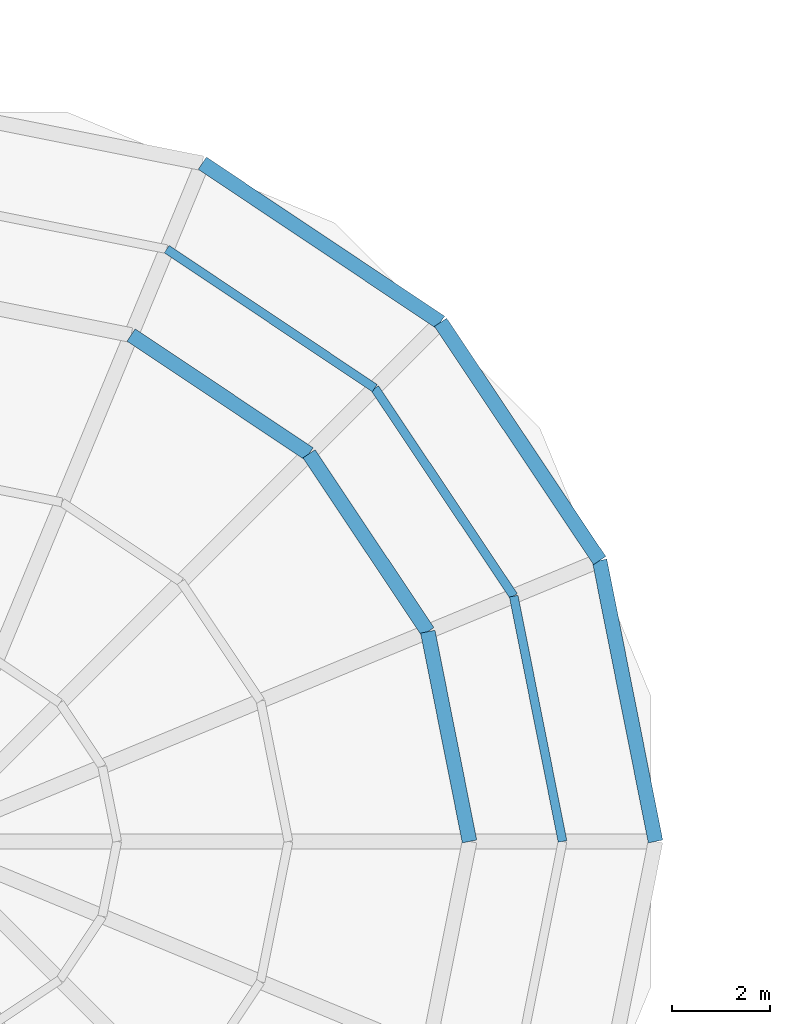
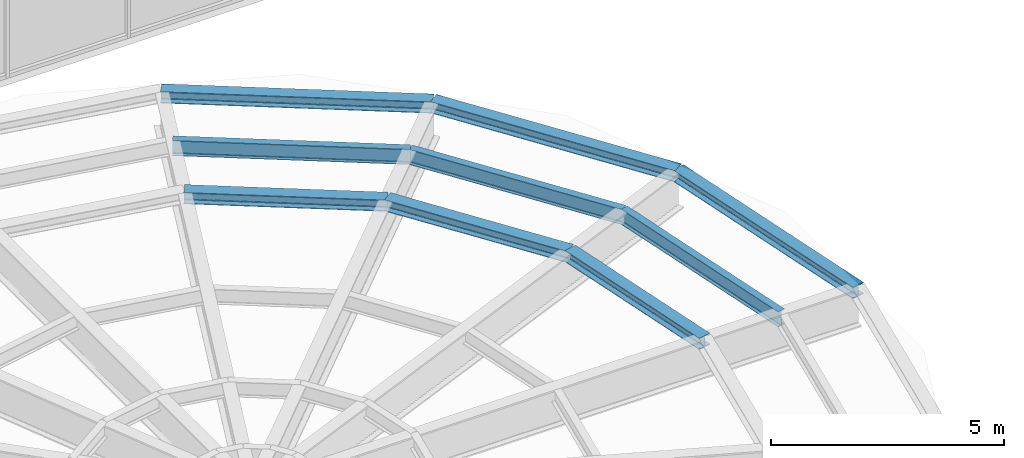
# One storey, part 4 of 37: 6 beams, 3 members.
"""IFC4 building model written with IfcOpenShell, lengths in metres."""

from ifc_helpers import new_model, si_unit, direction, frame, origin, origin_2d, place, context, subcontext, project, spatial, i_section, extrude, material, material_profile, profile_set, type_object, element, save


model = new_model("IFC4")

# Units and contexts
model_context = context("Model", 3, precision=1e-05, world=origin(), true_north=direction((0.0, 1.0)))
body_context = subcontext(model_context, "Body", "Model", "MODEL_VIEW")
ifc_project = project(units=[si_unit("LENGTHUNIT", "METRE"), si_unit("AREAUNIT", "SQUARE_METRE"), si_unit("VOLUMEUNIT", "CUBIC_METRE"), si_unit("PLANEANGLEUNIT", "RADIAN"), si_unit("MASSUNIT", "GRAM", prefix="KILO")], contexts=[model_context])

# Site, building, storey
site_placement = place(None, origin())
site = spatial("IfcSite", under=ifc_project, at=site_placement, CompositionType="ELEMENT")
building_placement = place(site_placement, origin())
building = spatial("IfcBuilding", under=site, at=building_placement, Name="Orbita Commons", CompositionType="ELEMENT")
storey_placement = place(building_placement, frame((0.0, 0.0, 6.0)))
storey = spatial("IfcBuildingStorey", under=building, at=storey_placement, Name="L01", CompositionType="ELEMENT", Elevation=6.0)

# Members
ifc_material_1 = material(Name="Steel ASTM A992", Category="steel")
ifc_material_profile_1 = material_profile(ifc_material_1, i_section(OverallWidth=0.179931640625, OverallDepth=0.39990234375, WebThickness=0.008544921875, FlangeThickness=0.013427734375, FilletRadius=0.02099609375, at=origin_2d()), Name="IPE 400")
ifc_profile_set_1 = profile_set([ifc_material_profile_1], Name="Steel ASTM A992")
member_type = type_object("IfcMemberType", Name="Canopy purlin IPE 400", PredefinedType="PURLIN", material=ifc_profile_set_1)
for number, where, z_axis, x_axis, name in (
    (1, (55.10009765625, -20.0, 1.800048828125), (-0.195114831677, 0.98078040481, 0.0), (-0.98078040481, -0.195114831677, 0.0), "Canopy purlin r13.1 1"),
    (2, (54.102783203125, -14.98681640625, 1.800048828125), (-0.555548645674, 0.831484036101, 0.0), (-0.831484036101, -0.555548645674, 0.0), "Canopy purlin r13.1 2"),
    (3, (51.26318359375, -10.73681640625, 1.800048828125), (-0.831484036101, 0.555548645674, 0.0), (-0.555548645674, -0.831484036101, 0.0), "Canopy purlin r13.1 3"),
):
    element("IfcMember", number, at=place(storey_placement, frame(where, z_axis=z_axis, x_axis=x_axis)), inside=storey, type_object=member_type, Name=name, PredefinedType="PURLIN", context=body_context, shape_type="SweptSolid", body=[
        extrude(i_section(OverallWidth=0.179931640625, OverallDepth=0.39990234375, WebThickness=0.008544921875, FlangeThickness=0.013427734375, FilletRadius=0.02099609375, at=origin_2d()), origin(), (0.0, 0.0, 1.0), 5.111328125),
    ])

# Beams
ifc_material_2 = material(Name="Steel ASTM A992", Category="steel")
ifc_material_profile_2 = material_profile(ifc_material_2, i_section(OverallWidth=0.300048828125, OverallDepth=0.300048828125, WebThickness=0.010986328125, FlangeThickness=0.01904296875, FilletRadius=0.027099609375, at=origin_2d()), Name="HEB 300")
ifc_profile_set_2 = profile_set([ifc_material_profile_2], Name="Steel ASTM A992")
beam_type = type_object("IfcBeamType", Name="Canopy ring beam HEB 300", PredefinedType="BEAM", material=ifc_profile_set_2)
beam_placement = place(storey_placement, frame((53.199951171875, -20.0, 1.85009765625), z_axis=(-0.195084651288, 0.980786408364, 0.0), x_axis=(-0.980786408364, -0.195084651288, 0.0)))
element("IfcBeam", 4, at=beam_placement, inside=storey, type_object=beam_type, Name="Canopy ring beam r11.2 1", PredefinedType="BEAM", context=body_context, shape_type="SweptSolid", body=[
    extrude(i_section(OverallWidth=0.300048828125, OverallDepth=0.300048828125, WebThickness=0.010986328125, FlangeThickness=0.01904296875, FilletRadius=0.027099609375, at=origin_2d()), origin(), (0.0, 0.0, 1.0), 4.3701171875),
])
for number, where, z_axis, x_axis, name in (
    (5, (52.347412109375, -15.7138671875, 1.85009765625), (-0.555550817894, 0.831482584747, 0.0), (-0.831482584747, -0.555550817894, 0.0), "Canopy ring beam r11.2 2"),
    (6, (49.919677734375, -12.080322265625, 1.85009765625), (-0.831482584747, 0.555550817894, 0.0), (-0.555550817894, -0.831482584747, 0.0), "Canopy ring beam r11.2 3"),
):
    element("IfcBeam", number, at=place(storey_placement, frame(where, z_axis=z_axis, x_axis=x_axis)), inside=storey, type_object=beam_type, Name=name, PredefinedType="BEAM", context=body_context, shape_type="SweptSolid", body=[
        extrude(i_section(OverallWidth=0.300048828125, OverallDepth=0.300048828125, WebThickness=0.010986328125, FlangeThickness=0.01904296875, FilletRadius=0.027099609375, at=origin_2d()), origin(), (0.0, 0.0, 1.0), 4.369873046875),
    ])
for number, where, z_axis, x_axis, name in (
    (7, (57.0, -20.0, 1.85009765625), (-0.195097240555, 0.980783904195, 0.0), (-0.980783904195, -0.195097240555, 0.0), "Canopy ring beam r15 1"),
    (8, (55.858154296875, -14.259765625, 1.85009765625), (-0.555547023775, 0.831485119756, 0.0), (-0.831485119756, -0.555547023775, 0.0), "Canopy ring beam r15 2"),
    (9, (52.606689453125, -9.393310546875, 1.85009765625), (-0.831485119756, 0.555547023775, 0.0), (-0.555547023775, -0.831485119756, 0.0), "Canopy ring beam r15 3"),
):
    element("IfcBeam", number, at=place(storey_placement, frame(where, z_axis=z_axis, x_axis=x_axis)), inside=storey, type_object=beam_type, Name=name, PredefinedType="BEAM", context=body_context, shape_type="SweptSolid", body=[
        extrude(i_section(OverallWidth=0.300048828125, OverallDepth=0.300048828125, WebThickness=0.010986328125, FlangeThickness=0.01904296875, FilletRadius=0.027099609375, at=origin_2d()), origin(), (0.0, 0.0, 1.0), 5.852783203125),
    ])

save(model, "model.ifc")
